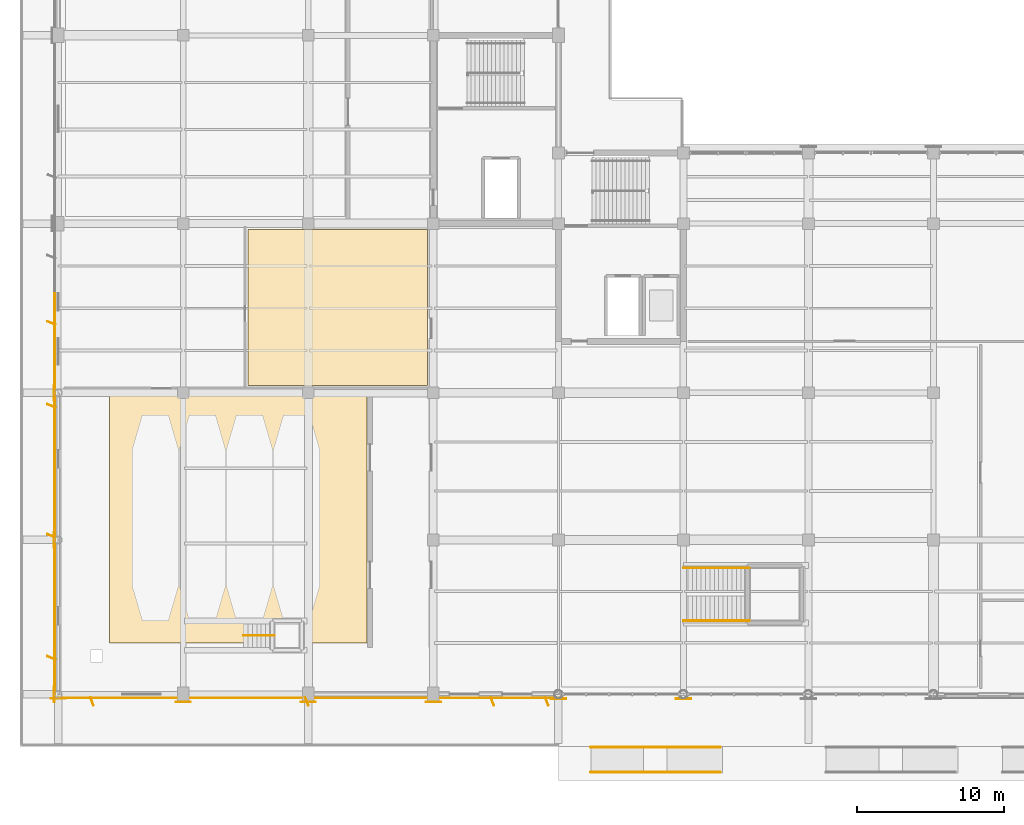
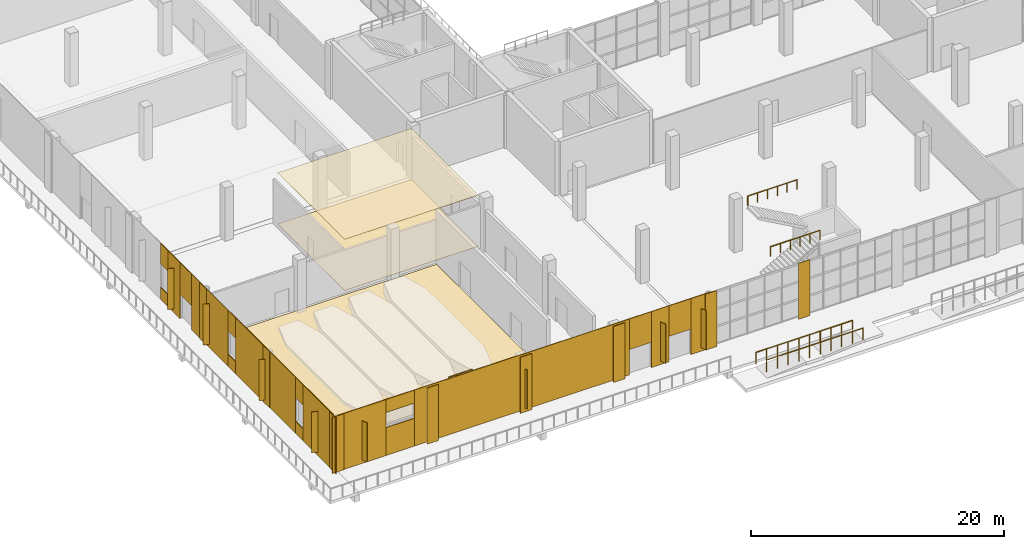
# One storey, part 76 of 90: 39 coverings, 5 railings.
"""IFC4 building model written with IfcOpenShell, lengths in metres."""

from ifc_helpers import new_model, si_unit, direction, frame, origin, origin_2d, place, context, subcontext, project, spatial, polyline, rectangle, circle, outline, extrude, material, layer, layer_set, type_object, element, save


model = new_model("IFC4")

# Units and contexts
model_context = context("Model", 3, precision=1e-05, world=origin(), true_north=direction((0.0, 1.0)))
body_context = subcontext(model_context, "Body", "Model", "MODEL_VIEW")
ifc_project = project(units=[si_unit("LENGTHUNIT", "METRE"), si_unit("AREAUNIT", "SQUARE_METRE"), si_unit("VOLUMEUNIT", "CUBIC_METRE"), si_unit("PLANEANGLEUNIT", "RADIAN"), si_unit("MASSUNIT", "GRAM", prefix="KILO")], contexts=[model_context])

# Site, building, storey
site_placement = place(None, origin())
site = spatial("IfcSite", under=ifc_project, at=site_placement, CompositionType="ELEMENT")
building_placement = place(site_placement, origin())
building = spatial("IfcBuilding", under=site, at=building_placement, Name="Solvikara Media Centre", CompositionType="ELEMENT")
storey_placement = place(building_placement, origin())
storey = spatial("IfcBuildingStorey", under=building, at=storey_placement, Name="L00", CompositionType="ELEMENT", Elevation=0.0)

# Coverings
ifc_material_1 = material(Name="Perforated acoustic gypsum ceiling board")
ifc_layer_1 = layer(ifc_material_1, 0.0400390625)
ifc_layer_set_1 = layer_set([ifc_layer_1], Name="Perforated acoustic gypsum ceiling board")
covering_type_1 = type_object("IfcCoveringType", Name="CV-01", PredefinedType="CEILING", material=ifc_layer_set_1)
covering_1_placement = place(storey_placement, frame((0.0, 0.0, 4.929931640625)))
element("IfcCovering", 1, at=covering_1_placement, inside=storey, type_object=covering_type_1, Name="CLG-003", PredefinedType="CEILING", context=body_context, shape_type="SweptSolid", body=[
    extrude(outline(polyline([(12.89990234375, 21.0), (25.10009765625, 21.0), (25.10009765625, 31.60009765625), (12.89990234375, 31.60009765625), (12.89990234375, 21.0)])), origin(), (0.0, 0.0, 1.0), 0.0400390625),
])
ifc_material_2 = material(Name="Polished terrazzo floor finish")
ifc_layer_2 = layer(ifc_material_2, 0.030029296875)
ifc_layer_set_2 = layer_set([ifc_layer_2], Name="Polished terrazzo floor finish")
covering_type_2 = type_object("IfcCoveringType", Name="CV-02", PredefinedType="FLOORING", material=ifc_layer_set_2)
covering_2_placement = place(storey_placement, origin())
element("IfcCovering", 2, at=covering_2_placement, inside=storey, type_object=covering_type_2, Name="FLR-002", PredefinedType="FLOORING", context=body_context, shape_type="SweptSolid", body=[
    extrude(outline(polyline([(3.5, 3.5), (21.0, 3.5), (21.0, 20.5), (3.5, 20.5), (3.5, 3.5)])), origin(), (0.0, 0.0, 1.0), 0.030029296875),
])
covering_3_placement = place(storey_placement, origin())
element("IfcCovering", 3, at=covering_3_placement, inside=storey, type_object=covering_type_2, Name="FLR-003", PredefinedType="FLOORING", context=body_context, shape_type="SweptSolid", body=[
    extrude(outline(polyline([(12.89990234375, 21.0), (25.10009765625, 21.0), (25.10009765625, 31.60009765625), (12.89990234375, 31.60009765625), (12.89990234375, 21.0)])), origin(), (0.0, 0.0, 1.0), 0.030029296875),
])
ifc_material_3 = material(Name="GFRC white mineral architectural rainscreen panel")
ifc_layer_3 = layer(ifc_material_3, 0.050048828125)
ifc_layer_set_3 = layer_set([ifc_layer_3], Name="GFRC white mineral architectural rainscreen panel")
covering_type_3 = type_object("IfcCoveringType", Name="CV-04", PredefinedType="CLADDING", material=ifc_layer_set_3)
for number, where, z_axis, x_axis, name in (
    (4, (-0.279052734375, 0.0, 0.0), (0.0, 0.0, 1.0), (0.0, -1.0, 0.0), "PIL-L00-001"),
    (5, (0.0, -0.279052734375, 0.0), (0.0, 0.0, 1.0), (1.0, 0.0, 0.0), "PIL-L00-002"),
    (6, (-0.279052734375, 10.5, 0.0), (0.0, 0.0, 1.0), (0.0, -1.0, 0.0), "PIL-L00-007"),
    (7, (-0.279052734375, 20.5, 0.0), (0.0, 0.0, 1.0), (0.0, -1.0, 0.0), "PIL-L00-010"),
    (8, (8.5, -0.52490234375, 0.0), (0.0, 0.0, 1.0), (1.0, 0.0, 0.0), "PIL-L00-048"),
    (9, (17.0, -0.52490234375, 0.0), (0.0, 0.0, 1.0), (1.0, 0.0, 0.0), "PIL-L00-055"),
    (10, (25.5, -0.52490234375, 0.0), (0.0, 0.0, 1.0), (1.0, 0.0, 0.0), "PIL-L00-062"),
    (11, (34.0, -0.304931640625, 0.0), (0.0, 0.0, 1.0), (1.0, 0.0, 0.0), "PIL-L00-096"),
    (12, (42.5, -0.304931640625, 0.0), (0.0, 0.0, 1.0), (1.0, 0.0, 0.0), "PIL-L00-107"),
):
    element("IfcCovering", number, at=place(storey_placement, frame(where, z_axis=z_axis, x_axis=x_axis)), inside=storey, type_object=covering_type_3, Name=name, PredefinedType="CLADDING", context=body_context, shape_type="SweptSolid", body=[
        extrude(rectangle(XDim=1.0400390625, YDim=0.050048828125, at=origin_2d()), origin(), (0.0, 0.0, 1.0), 5.39990234375),
    ])
covering_4_placement = place(storey_placement, frame((2.18310546875, -0.2451171875, 0.0), z_axis=(0.0, 0.0, 1.0), x_axis=(1.0, 0.0, 0.0)))
element("IfcCovering", 13, at=covering_4_placement, inside=storey, type_object=covering_type_3, Name="L00-V1S-CV-F01", PredefinedType="CLADDING", context=body_context, shape_type="SweptSolid", body=[
    extrude(rectangle(XDim=4.366943359375, YDim=0.050048828125, at=origin_2d()), origin(), (0.0, 0.0, 1.0), 5.39990234375),
])
covering_5_placement = place(storey_placement, frame((2.29296875, -0.469970703125, 0.35009765625), z_axis=(0.0, 0.0, 1.0), x_axis=(0.3656566557, -0.930749810713, 0.0)))
element("IfcCovering", 14, at=covering_5_placement, inside=storey, type_object=covering_type_3, Name="L00-V1S-FIN-01", PredefinedType="CLADDING", context=body_context, shape_type="SweptSolid", body=[
    extrude(rectangle(XDim=0.60205078125, YDim=0.050048828125, at=origin_2d()), origin(), (0.0, 0.0, 1.0), 3.780029296875),
])
covering_6_placement = place(storey_placement, frame((5.6669921875, -0.2451171875, 0.0), z_axis=(0.0, 0.0, 1.0), x_axis=(1.0, 0.0, 0.0)))
element("IfcCovering", 15, at=covering_6_placement, inside=storey, type_object=covering_type_3, Name="L00-V1S-CV-S02", PredefinedType="CLADDING", context=body_context, shape_type="SweptSolid", body=[
    extrude(rectangle(XDim=2.60009765625, YDim=0.050048828125, at=origin_2d()), origin(), (0.0, 0.0, 1.0), 2.68994140625),
])
covering_7_placement = place(storey_placement, frame((5.6669921875, -0.2451171875, 4.14990234375), z_axis=(0.0, 0.0, 1.0), x_axis=(1.0, 0.0, 0.0)))
element("IfcCovering", 16, at=covering_7_placement, inside=storey, type_object=covering_type_3, Name="L00-V1S-CV-H02", PredefinedType="CLADDING", context=body_context, shape_type="SweptSolid", body=[
    extrude(rectangle(XDim=2.60009765625, YDim=0.050048828125, at=origin_2d()), origin(), (0.0, 0.0, 1.0), 1.25),
])
covering_8_placement = place(storey_placement, frame((16.783935546875, -0.2451171875, 0.0), z_axis=(0.0, 0.0, 1.0), x_axis=(1.0, 0.0, 0.0)))
element("IfcCovering", 17, at=covering_8_placement, inside=storey, type_object=covering_type_3, Name="L00-V1S-CV-F03", PredefinedType="CLADDING", context=body_context, shape_type="SweptSolid", body=[
    extrude(rectangle(XDim=19.633056640625, YDim=0.050048828125, at=origin_2d()), origin(), (0.0, 0.0, 1.0), 5.39990234375),
])
covering_9_placement = place(storey_placement, frame((16.89404296875, -0.469970703125, 0.35009765625), z_axis=(0.0, 0.0, 1.0), x_axis=(0.3656566557, -0.930749810713, 0.0)))
element("IfcCovering", 18, at=covering_9_placement, inside=storey, type_object=covering_type_3, Name="L00-V1S-FIN-03", PredefinedType="CLADDING", context=body_context, shape_type="SweptSolid", body=[
    extrude(rectangle(XDim=0.60205078125, YDim=0.050048828125, at=origin_2d()), origin(), (0.0, 0.0, 1.0), 3.780029296875),
])
covering_10_placement = place(storey_placement, frame((27.60009765625, -0.2451171875, 2.4501953125), z_axis=(0.0, 0.0, 1.0), x_axis=(1.0, 0.0, 0.0)))
element("IfcCovering", 19, at=covering_10_placement, inside=storey, type_object=covering_type_3, Name="L00-V1S-CV-D04", PredefinedType="CLADDING", context=body_context, shape_type="SweptSolid", body=[
    extrude(rectangle(XDim=2.0, YDim=0.050048828125, at=origin_2d()), origin(), (0.0, 0.0, 1.0), 2.949951171875),
])
covering_11_placement = place(storey_placement, frame((29.39990234375, -0.2451171875, 0.0), z_axis=(0.0, 0.0, 1.0), x_axis=(1.0, 0.0, 0.0)))
element("IfcCovering", 20, at=covering_11_placement, inside=storey, type_object=covering_type_3, Name="L00-V1S-CV-F05", PredefinedType="CLADDING", context=body_context, shape_type="SweptSolid", body=[
    extrude(rectangle(XDim=1.60009765625, YDim=0.050048828125, at=origin_2d()), origin(), (0.0, 0.0, 1.0), 5.39990234375),
])
covering_12_placement = place(storey_placement, frame((29.510009765625, -0.469970703125, 0.35009765625), z_axis=(0.0, 0.0, 1.0), x_axis=(0.3656566557, -0.930749810713, 0.0)))
element("IfcCovering", 21, at=covering_12_placement, inside=storey, type_object=covering_type_3, Name="L00-V1S-FIN-05", PredefinedType="CLADDING", context=body_context, shape_type="SweptSolid", body=[
    extrude(rectangle(XDim=0.60205078125, YDim=0.050048828125, at=origin_2d()), origin(), (0.0, 0.0, 1.0), 3.780029296875),
])
covering_13_placement = place(storey_placement, frame((31.199951171875, -0.2451171875, 2.4501953125), z_axis=(0.0, 0.0, 1.0), x_axis=(1.0, 0.0, 0.0)))
element("IfcCovering", 22, at=covering_13_placement, inside=storey, type_object=covering_type_3, Name="L00-V1S-CV-D06", PredefinedType="CLADDING", context=body_context, shape_type="SweptSolid", body=[
    extrude(rectangle(XDim=2.0, YDim=0.050048828125, at=origin_2d()), origin(), (0.0, 0.0, 1.0), 2.949951171875),
])
covering_14_placement = place(storey_placement, frame((33.10009765625, -0.2451171875, 0.0), z_axis=(0.0, 0.0, 1.0), x_axis=(1.0, 0.0, 0.0)))
element("IfcCovering", 23, at=covering_14_placement, inside=storey, type_object=covering_type_3, Name="L00-V1S-CV-F07", PredefinedType="CLADDING", context=body_context, shape_type="SweptSolid", body=[
    extrude(rectangle(XDim=1.800048828125, YDim=0.050048828125, at=origin_2d()), origin(), (0.0, 0.0, 1.0), 5.39990234375),
])
covering_15_placement = place(storey_placement, frame((33.2099609375, -0.469970703125, 0.35009765625), z_axis=(0.0, 0.0, 1.0), x_axis=(0.3656566557, -0.930749810713, 0.0)))
element("IfcCovering", 24, at=covering_15_placement, inside=storey, type_object=covering_type_3, Name="L00-V1S-FIN-07", PredefinedType="CLADDING", context=body_context, shape_type="SweptSolid", body=[
    extrude(rectangle(XDim=0.60205078125, YDim=0.050048828125, at=origin_2d()), origin(), (0.0, 0.0, 1.0), 3.780029296875),
])
covering_16_placement = place(storey_placement, frame((-0.2451171875, 2.365966796875, 0.0), z_axis=(0.0, 0.0, 1.0), x_axis=(0.0, 1.0, 0.0)))
element("IfcCovering", 25, at=covering_16_placement, inside=storey, type_object=covering_type_3, Name="L00-V1W-CV-F01", PredefinedType="CLADDING", context=body_context, shape_type="SweptSolid", body=[
    extrude(rectangle(XDim=4.73291015625, YDim=0.050048828125, at=origin_2d()), origin(), (0.0, 0.0, 1.0), 5.39990234375),
])
covering_17_placement = place(storey_placement, frame((-0.469970703125, 2.47607421875, 0.35009765625), z_axis=(0.0, 0.0, 1.0), x_axis=(-0.930749810713, 0.3656566557, 0.0)))
element("IfcCovering", 26, at=covering_17_placement, inside=storey, type_object=covering_type_3, Name="L00-V1W-FIN-01", PredefinedType="CLADDING", context=body_context, shape_type="SweptSolid", body=[
    extrude(rectangle(XDim=0.60205078125, YDim=0.050048828125, at=origin_2d()), origin(), (0.0, 0.0, 1.0), 3.929931640625),
])
covering_18_placement = place(storey_placement, frame((-0.2451171875, 5.3330078125, 0.0), z_axis=(0.0, 0.0, 1.0), x_axis=(0.0, 1.0, 0.0)))
element("IfcCovering", 27, at=covering_18_placement, inside=storey, type_object=covering_type_3, Name="L00-V1W-CV-S02", PredefinedType="CLADDING", context=body_context, shape_type="SweptSolid", body=[
    extrude(rectangle(XDim=1.199951171875, YDim=0.050048828125, at=origin_2d()), origin(), (0.0, 0.0, 1.0), 1.169921875),
])
covering_19_placement = place(storey_placement, frame((-0.2451171875, 5.3330078125, 3.43017578125), z_axis=(0.0, 0.0, 1.0), x_axis=(0.0, 1.0, 0.0)))
element("IfcCovering", 28, at=covering_19_placement, inside=storey, type_object=covering_type_3, Name="L00-V1W-CV-H02", PredefinedType="CLADDING", context=body_context, shape_type="SweptSolid", body=[
    extrude(rectangle(XDim=1.199951171875, YDim=0.050048828125, at=origin_2d()), origin(), (0.0, 0.0, 1.0), 1.969970703125),
])
covering_20_placement = place(storey_placement, frame((-0.2451171875, 10.666015625, 0.0), z_axis=(0.0, 0.0, 1.0), x_axis=(0.0, 1.0, 0.0)))
element("IfcCovering", 29, at=covering_20_placement, inside=storey, type_object=covering_type_3, Name="L00-V1W-CV-F03", PredefinedType="CLADDING", context=body_context, shape_type="SweptSolid", body=[
    extrude(rectangle(XDim=9.467041015625, YDim=0.050048828125, at=origin_2d()), origin(), (0.0, 0.0, 1.0), 5.39990234375),
])
covering_21_placement = place(storey_placement, frame((-0.469970703125, 10.77587890625, 0.35009765625), z_axis=(0.0, 0.0, 1.0), x_axis=(-0.930749810713, 0.3656566557, 0.0)))
element("IfcCovering", 30, at=covering_21_placement, inside=storey, type_object=covering_type_3, Name="L00-V1W-FIN-03", PredefinedType="CLADDING", context=body_context, shape_type="SweptSolid", body=[
    extrude(rectangle(XDim=0.60205078125, YDim=0.050048828125, at=origin_2d()), origin(), (0.0, 0.0, 1.0), 3.929931640625),
])
covering_22_placement = place(storey_placement, frame((-0.2451171875, 16.0, 0.0), z_axis=(0.0, 0.0, 1.0), x_axis=(0.0, 1.0, 0.0)))
element("IfcCovering", 31, at=covering_22_placement, inside=storey, type_object=covering_type_3, Name="L00-V1W-CV-S04", PredefinedType="CLADDING", context=body_context, shape_type="SweptSolid", body=[
    extrude(rectangle(XDim=1.199951171875, YDim=0.050048828125, at=origin_2d()), origin(), (0.0, 0.0, 1.0), 1.169921875),
])
covering_23_placement = place(storey_placement, frame((-0.2451171875, 16.0, 3.43017578125), z_axis=(0.0, 0.0, 1.0), x_axis=(0.0, 1.0, 0.0)))
element("IfcCovering", 32, at=covering_23_placement, inside=storey, type_object=covering_type_3, Name="L00-V1W-CV-H04", PredefinedType="CLADDING", context=body_context, shape_type="SweptSolid", body=[
    extrude(rectangle(XDim=1.199951171875, YDim=0.050048828125, at=origin_2d()), origin(), (0.0, 0.0, 1.0), 1.969970703125),
])
covering_24_placement = place(storey_placement, frame((-0.2451171875, 19.5, 0.0), z_axis=(0.0, 0.0, 1.0), x_axis=(0.0, 1.0, 0.0)))
element("IfcCovering", 33, at=covering_24_placement, inside=storey, type_object=covering_type_3, Name="L00-V1W-CV-F05", PredefinedType="CLADDING", context=body_context, shape_type="SweptSolid", body=[
    extrude(rectangle(XDim=5.800048828125, YDim=0.050048828125, at=origin_2d()), origin(), (0.0, 0.0, 1.0), 5.39990234375),
])
covering_25_placement = place(storey_placement, frame((-0.469970703125, 19.610107421875, 0.35009765625), z_axis=(0.0, 0.0, 1.0), x_axis=(-0.930749810713, 0.3656566557, 0.0)))
element("IfcCovering", 34, at=covering_25_placement, inside=storey, type_object=covering_type_3, Name="L00-V1W-FIN-05", PredefinedType="CLADDING", context=body_context, shape_type="SweptSolid", body=[
    extrude(rectangle(XDim=0.60205078125, YDim=0.050048828125, at=origin_2d()), origin(), (0.0, 0.0, 1.0), 3.929931640625),
])
covering_26_placement = place(storey_placement, frame((-0.2451171875, 23.300048828125, 2.35009765625), z_axis=(0.0, 0.0, 1.0), x_axis=(0.0, 1.0, 0.0)))
element("IfcCovering", 35, at=covering_26_placement, inside=storey, type_object=covering_type_3, Name="L00-V1W-CV-D06", PredefinedType="CLADDING", context=body_context, shape_type="SweptSolid", body=[
    extrude(rectangle(XDim=1.800048828125, YDim=0.050048828125, at=origin_2d()), origin(), (0.0, 0.0, 1.0), 3.050048828125),
])
covering_27_placement = place(storey_placement, frame((-0.2451171875, 25.133056640625, 0.0), z_axis=(0.0, 0.0, 1.0), x_axis=(0.0, 1.0, 0.0)))
element("IfcCovering", 36, at=covering_27_placement, inside=storey, type_object=covering_type_3, Name="L00-V1W-CV-F07", PredefinedType="CLADDING", context=body_context, shape_type="SweptSolid", body=[
    extrude(rectangle(XDim=1.866943359375, YDim=0.050048828125, at=origin_2d()), origin(), (0.0, 0.0, 1.0), 5.39990234375),
])
covering_28_placement = place(storey_placement, frame((-0.469970703125, 25.242919921875, 0.35009765625), z_axis=(0.0, 0.0, 1.0), x_axis=(-0.930749810713, 0.3656566557, 0.0)))
element("IfcCovering", 37, at=covering_28_placement, inside=storey, type_object=covering_type_3, Name="L00-V1W-FIN-07", PredefinedType="CLADDING", context=body_context, shape_type="SweptSolid", body=[
    extrude(rectangle(XDim=0.60205078125, YDim=0.050048828125, at=origin_2d()), origin(), (0.0, 0.0, 1.0), 3.929931640625),
])
covering_29_placement = place(storey_placement, frame((-0.2451171875, 26.6669921875, 0.0), z_axis=(0.0, 0.0, 1.0), x_axis=(0.0, 1.0, 0.0)))
element("IfcCovering", 38, at=covering_29_placement, inside=storey, type_object=covering_type_3, Name="L00-V1W-CV-S08", PredefinedType="CLADDING", context=body_context, shape_type="SweptSolid", body=[
    extrude(rectangle(XDim=1.199951171875, YDim=0.050048828125, at=origin_2d()), origin(), (0.0, 0.0, 1.0), 1.169921875),
])
covering_30_placement = place(storey_placement, frame((-0.2451171875, 26.6669921875, 3.43017578125), z_axis=(0.0, 0.0, 1.0), x_axis=(0.0, 1.0, 0.0)))
element("IfcCovering", 39, at=covering_30_placement, inside=storey, type_object=covering_type_3, Name="L00-V1W-CV-H08", PredefinedType="CLADDING", context=body_context, shape_type="SweptSolid", body=[
    extrude(rectangle(XDim=1.199951171875, YDim=0.050048828125, at=origin_2d()), origin(), (0.0, 0.0, 1.0), 1.969970703125),
])

# Railings
ifc_material_4 = material(Name="Steel S355JR", Category="steel")
railing_type_1 = type_object("IfcRailingType", Name="GR-01", PredefinedType="GUARDRAIL", material=ifc_material_4)
for number, where, name in (
    (40, (36.199951171875, -5.300048828125, 0.0), "RHR-01-S"),
    (41, (36.199951171875, -3.60009765625, -0.300048828125), "RHR-01-N"),
):
    element("IfcRailing", number, at=place(storey_placement, frame(where)), inside=storey, type_object=railing_type_1, Name=name, PredefinedType="GUARDRAIL", context=body_context, shape_type="SweptSolid", body=[
        extrude(circle(Radius=0.02392578125, at=origin_2d()), frame((0.0, 0.0, 1.1259765625), z_axis=(1.0, 0.0, 0.0), x_axis=(0.0, 1.0, 0.0)), (0.0, 0.0, 1.0), 8.800048828125),
        extrude(circle(Radius=0.02099609375, at=origin_2d()), origin(), (0.0, 0.0, 1.0), 1.101806640625),
        extrude(circle(Radius=0.02099609375, at=origin_2d()), frame((0.977783203125, 0.0, 0.0)), (0.0, 0.0, 1.0), 1.101806640625),
        extrude(circle(Radius=0.02099609375, at=origin_2d()), frame((1.95556640625, 0.0, 0.0)), (0.0, 0.0, 1.0), 1.101806640625),
        extrude(circle(Radius=0.02099609375, at=origin_2d()), frame((2.933349609375, 0.0, 0.0)), (0.0, 0.0, 1.0), 1.101806640625),
        extrude(circle(Radius=0.02099609375, at=origin_2d()), frame((3.9111328125, 0.0, 0.0)), (0.0, 0.0, 1.0), 1.101806640625),
        extrude(circle(Radius=0.02099609375, at=origin_2d()), frame((4.888916015625, 0.0, 0.0)), (0.0, 0.0, 1.0), 1.101806640625),
        extrude(circle(Radius=0.02099609375, at=origin_2d()), frame((5.86669921875, 0.0, 0.0)), (0.0, 0.0, 1.0), 1.101806640625),
        extrude(circle(Radius=0.02099609375, at=origin_2d()), frame((6.844482421875, 0.0, 0.0)), (0.0, 0.0, 1.0), 1.101806640625),
        extrude(circle(Radius=0.02099609375, at=origin_2d()), frame((7.822265625, 0.0, 0.0)), (0.0, 0.0, 1.0), 1.101806640625),
        extrude(circle(Radius=0.02099609375, at=origin_2d()), frame((8.800048828125, 0.0, 0.0)), (0.0, 0.0, 1.0), 1.101806640625),
    ])
railing_type_2 = type_object("IfcRailingType", Name="HR-01", PredefinedType="HANDRAIL", material=ifc_material_4)
railing_1_placement = place(storey_placement, frame((42.5, 5.0, 2.699951171875)))
element("IfcRailing", 42, at=railing_1_placement, inside=storey, type_object=railing_type_2, Name="HR-FOY-1A", PredefinedType="HANDRAIL", context=body_context, shape_type="SweptSolid", body=[
    extrude(circle(Radius=0.02392578125, at=origin_2d()), frame((0.0, 0.0, 0.89599609375), z_axis=(1.0, 0.0, 0.0), x_axis=(0.0, 1.0, 0.0)), (0.0, 0.0, 1.0), 4.5),
    extrude(circle(Radius=0.02099609375, at=origin_2d()), origin(), (0.0, 0.0, 1.0), 0.871826171875),
    extrude(circle(Radius=0.02099609375, at=origin_2d()), frame((0.89990234375, 0.0, 0.0)), (0.0, 0.0, 1.0), 0.871826171875),
    extrude(circle(Radius=0.02099609375, at=origin_2d()), frame((1.800048828125, 0.0, 0.0)), (0.0, 0.0, 1.0), 0.871826171875),
    extrude(circle(Radius=0.02099609375, at=origin_2d()), frame((2.699951171875, 0.0, 0.0)), (0.0, 0.0, 1.0), 0.871826171875),
    extrude(circle(Radius=0.02099609375, at=origin_2d()), frame((3.60009765625, 0.0, 0.0)), (0.0, 0.0, 1.0), 0.871826171875),
    extrude(circle(Radius=0.02099609375, at=origin_2d()), frame((4.5, 0.0, 0.0)), (0.0, 0.0, 1.0), 0.871826171875),
])
railing_2_placement = place(storey_placement, frame((47.0, 8.60009765625, 5.39990234375)))
element("IfcRailing", 43, at=railing_2_placement, inside=storey, type_object=railing_type_2, Name="HR-FOY-1B", PredefinedType="HANDRAIL", context=body_context, shape_type="SweptSolid", body=[
    extrude(circle(Radius=0.02392578125, at=origin_2d()), frame((0.0, 0.0, 0.89599609375), z_axis=(-1.0, 0.0, 0.0), x_axis=(0.0, -1.0, 0.0)), (0.0, 0.0, 1.0), 4.5),
    extrude(circle(Radius=0.02099609375, at=origin_2d()), origin(), (0.0, 0.0, 1.0), 0.871826171875),
    extrude(circle(Radius=0.02099609375, at=origin_2d()), frame((-0.89990234375, 0.0, 0.0)), (0.0, 0.0, 1.0), 0.871826171875),
    extrude(circle(Radius=0.02099609375, at=origin_2d()), frame((-1.800048828125, 0.0, 0.0)), (0.0, 0.0, 1.0), 0.871826171875),
    extrude(circle(Radius=0.02099609375, at=origin_2d()), frame((-2.699951171875, 0.0, 0.0)), (0.0, 0.0, 1.0), 0.871826171875),
    extrude(circle(Radius=0.02099609375, at=origin_2d()), frame((-3.60009765625, 0.0, 0.0)), (0.0, 0.0, 1.0), 0.871826171875),
    extrude(circle(Radius=0.02099609375, at=origin_2d()), frame((-4.5, 0.0, 0.0)), (0.0, 0.0, 1.0), 0.871826171875),
])
railing_3_placement = place(storey_placement, frame((12.60009765625, 4.0, 1.199951171875)))
element("IfcRailing", 44, at=railing_3_placement, inside=storey, type_object=railing_type_2, Name="HR-ST-GC-AISLE", PredefinedType="HANDRAIL", context=body_context, shape_type="SweptSolid", body=[
    extrude(circle(Radius=0.02392578125, at=origin_2d()), frame((0.0, 0.0, 0.89599609375), z_axis=(1.0, 0.0, 0.0), x_axis=(0.0, 1.0, 0.0)), (0.0, 0.0, 1.0), 2.099853515625),
    extrude(circle(Radius=0.02099609375, at=origin_2d()), origin(), (0.0, 0.0, 1.0), 0.871826171875),
    extrude(circle(Radius=0.02099609375, at=origin_2d()), frame((1.0498046875, 0.0, 0.0)), (0.0, 0.0, 1.0), 0.871826171875),
    extrude(circle(Radius=0.02099609375, at=origin_2d()), frame((2.099853515625, 0.0, 0.0)), (0.0, 0.0, 1.0), 0.871826171875),
])

save(model, "model.ifc")
